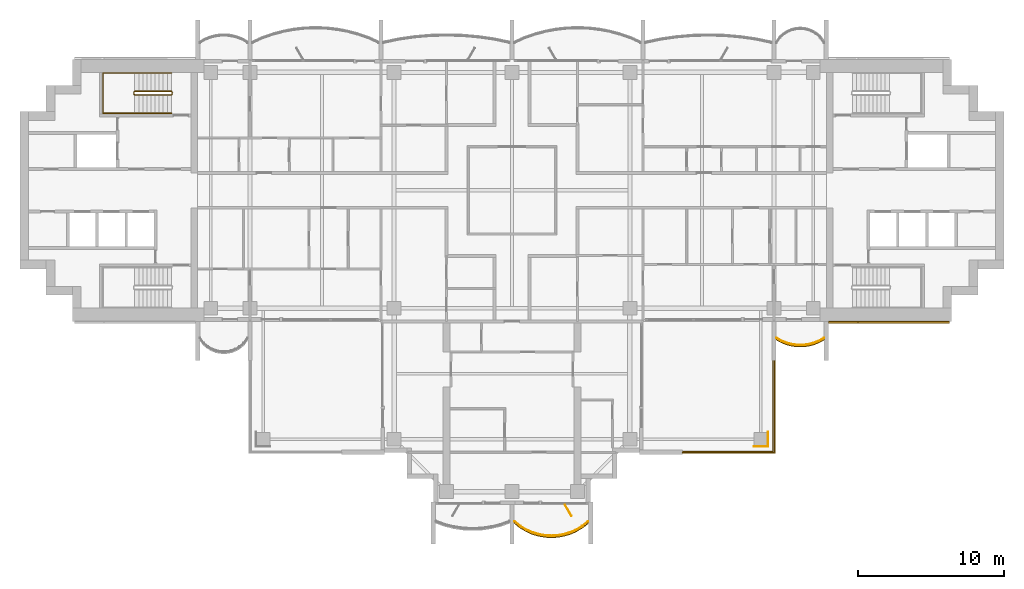
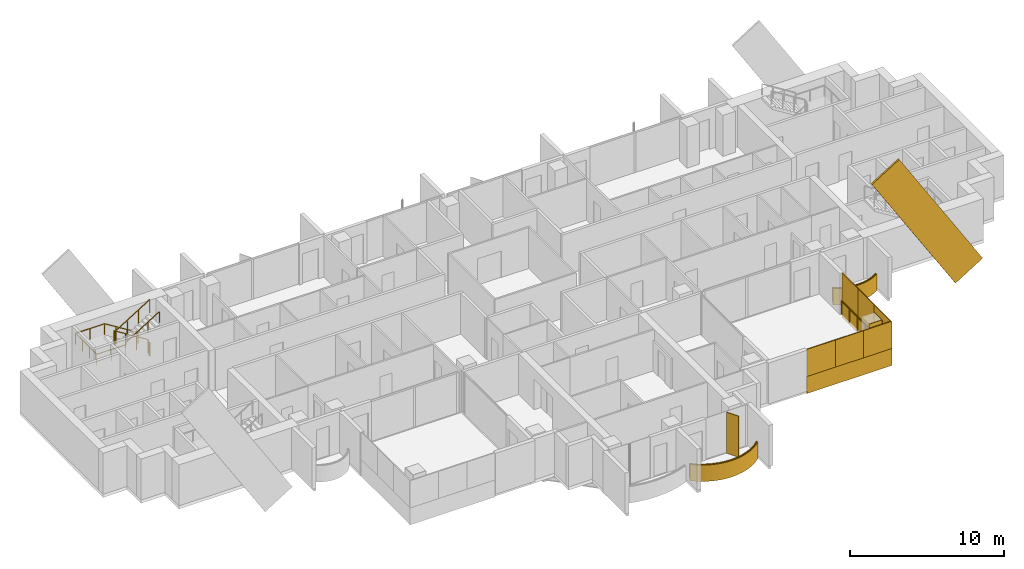
# One storey, part 15 of 17: 12 coverings, 5 railings, 1 shading device.
"""IFC4 building model written with IfcOpenShell, lengths in metres."""

from ifc_helpers import new_model, si_unit, direction, frame, origin, origin_2d, place, context, subcontext, project, spatial, polyline, rectangle, outline, extrude, material, layer, layer_set, material_profile, profile_set, type_object, element, save


model = new_model("IFC4")

# Units and contexts
model_context = context("Model", 3, precision=1e-05, world=origin(), true_north=direction((0.0, 1.0)))
body_context = subcontext(model_context, "Body", "Model", "MODEL_VIEW")
ifc_project = project(units=[si_unit("LENGTHUNIT", "METRE"), si_unit("AREAUNIT", "SQUARE_METRE"), si_unit("VOLUMEUNIT", "CUBIC_METRE"), si_unit("PLANEANGLEUNIT", "RADIAN"), si_unit("MASSUNIT", "GRAM", prefix="KILO")], contexts=[model_context])

# Site, building, storey
site_placement = place(None, origin())
site = spatial("IfcSite", under=ifc_project, at=site_placement, CompositionType="ELEMENT")
building_placement = place(site_placement, origin())
building = spatial("IfcBuilding", under=site, at=building_placement, Name="Perihelion Cross Residences", CompositionType="ELEMENT")
storey_placement = place(building_placement, frame((0.0, 0.0, 208.60009765625)))
storey = spatial("IfcBuildingStorey", under=building, at=storey_placement, Name="L52", CompositionType="ELEMENT", Elevation=208.60009765625)

# Coverings
ifc_material_1 = material(Name="Bronze anodised aluminium", Category="aluminium")
ifc_layer_1 = layer(ifc_material_1, 0.070068359375)
ifc_layer_set_1 = layer_set([ifc_layer_1], Name="Balcony fascia 1300")
covering_type_1 = type_object("IfcCoveringType", Name="Balcony fascia 1300", PredefinedType="CLADDING", material=ifc_layer_set_1)
covering_1_placement = place(storey_placement, frame((0.0, 0.0, -0.2001953125)))
element("IfcCovering", 1, at=covering_1_placement, inside=storey, type_object=covering_type_1, Name="Fascia BF1 L52 south tip south bay 2", PredefinedType="CLADDING", context=body_context, shape_type="SweptSolid", body=[
    extrude(outline(polyline([(0.53515625, -23.197509765625), (0.96826171875, -23.455078125), (1.401123046875, -23.642578125), (1.833984375, -23.7705078125), (2.26708984375, -23.845458984375), (2.699951171875, -23.8701171875), (3.133056640625, -23.845458984375), (3.56591796875, -23.7705078125), (3.998779296875, -23.642578125), (4.431884765625, -23.455078125), (4.86474609375, -23.197509765625), (5.25, -22.8896484375), (5.25, -22.800048828125), (4.824951171875, -23.14013671875), (4.39990234375, -23.392578125), (3.97509765625, -23.57666015625), (3.550048828125, -23.702392578125), (3.125, -23.77587890625), (2.699951171875, -23.800048828125), (2.27490234375, -23.77587890625), (1.85009765625, -23.702392578125), (1.425048828125, -23.57666015625), (1.0, -23.392578125), (0.574951171875, -23.14013671875), (0.14990234375, -22.800048828125), (0.14990234375, -22.8896484375), (0.53515625, -23.197509765625)])), origin(), (0.0, 0.0, 1.0), 1.300048828125),
])
covering_2_placement = place(storey_placement, frame((0.0, 0.0, -0.2001953125)))
element("IfcCovering", 2, at=covering_2_placement, inside=storey, type_object=covering_type_1, Name="Fascia BF1 L52 east side south bay 2", PredefinedType="CLADDING", context=body_context, shape_type="SweptSolid", body=[
    extrude(outline(polyline([(18.486328125, -10.4716796875), (18.861572265625, -10.62158203125), (19.237060546875, -10.717529296875), (19.6123046875, -10.76416015625), (19.987548828125, -10.76416015625), (20.363037109375, -10.717529296875), (20.73828125, -10.62158203125), (21.11376953125, -10.4716796875), (21.449951171875, -10.280517578125), (21.449951171875, -10.199951171875), (21.083251953125, -10.40869140625), (20.716552734375, -10.55517578125), (20.35009765625, -10.648681640625), (19.9833984375, -10.6943359375), (19.61669921875, -10.6943359375), (19.25, -10.648681640625), (18.88330078125, -10.55517578125), (18.5166015625, -10.40869140625), (18.14990234375, -10.199951171875), (18.14990234375, -10.280517578125), (18.486328125, -10.4716796875)])), origin(), (0.0, 0.0, 1.0), 1.300048828125),
])

# Railings
ifc_material_2 = material(Name="Bronze anodised aluminium", Category="aluminium")
railing_type_1 = type_object("IfcRailingType", Name="Balcony guard 1100", PredefinedType="GUARDRAIL", material=ifc_material_2)
railing_1_placement = place(storey_placement, frame((0.175048828125, -22.739990234375, 0.0)))
element("IfcRailing", 3, at=railing_1_placement, inside=storey, type_object=railing_type_1, Name="Guard GU1 L52 south tip south bay 2 balcony", PredefinedType="GUARDRAIL", context=body_context, shape_type="SweptSolid", body=[
    extrude(rectangle(XDim=0.048095703125, YDim=0.048095703125, at=origin_2d()), frame((0.0, 0.0, 1.076171875), z_axis=(0.761778647315, -0.647837396648, 0.0), x_axis=(0.647837396648, 0.761778647315, 0.0)), (0.0, 0.0, 1.0), 0.52490234375),
    extrude(rectangle(XDim=0.048095703125, YDim=0.048095703125, at=origin_2d()), frame((0.39990234375, -0.340087890625, 1.076171875), z_axis=(0.859576918062, -0.511006381501, 0.0), x_axis=(0.511006381501, 0.859576918062, 0.0)), (0.0, 0.0, 1.0), 0.494384765625),
    extrude(rectangle(XDim=0.048095703125, YDim=0.048095703125, at=origin_2d()), frame((0.824951171875, -0.5927734375, 1.076171875), z_axis=(0.917831080218, -0.396971167952, 0.0), x_axis=(0.396971167952, 0.917831080218, 0.0)), (0.0, 0.0, 1.0), 0.463134765625),
    extrude(rectangle(XDim=0.048095703125, YDim=0.048095703125, at=origin_2d()), frame((1.25, -0.776611328125, 1.076171875), z_axis=(0.958925815697, -0.283656975924, 0.0), x_axis=(0.283656975924, 0.958925815697, 0.0)), (0.0, 0.0, 1.0), 0.443359375),
    extrude(rectangle(XDim=0.048095703125, YDim=0.048095703125, at=origin_2d()), frame((1.675048828125, -0.90234375, 1.076171875), z_axis=(0.985365142702, -0.170456843651, 0.0), x_axis=(0.170456843651, 0.985365142702, 0.0)), (0.0, 0.0, 1.0), 0.43115234375),
    extrude(rectangle(XDim=0.048095703125, YDim=0.048095703125, at=origin_2d()), frame((2.099853515625, -0.975830078125, 1.076171875), z_axis=(0.998387160354, -0.056772159032, 0.0), x_axis=(0.056772159032, 0.998387160354, 0.0)), (0.0, 0.0, 1.0), 0.42578125),
    extrude(rectangle(XDim=0.048095703125, YDim=0.048095703125, at=origin_2d()), frame((2.52490234375, -1.0, 1.076171875), z_axis=(0.998387160354, 0.056772159032, 0.0), x_axis=(-0.056772159032, 0.998387160354, 0.0)), (0.0, 0.0, 1.0), 0.42578125),
    extrude(rectangle(XDim=0.048095703125, YDim=0.048095703125, at=origin_2d()), frame((2.949951171875, -0.975830078125, 1.076171875), z_axis=(0.985381583142, 0.17036177859, 0.0), x_axis=(-0.17036177859, 0.985381583142, 0.0)), (0.0, 0.0, 1.0), 0.431396484375),
    extrude(rectangle(XDim=0.048095703125, YDim=0.048095703125, at=origin_2d()), frame((3.375, -0.90234375, 1.076171875), z_axis=(0.958925815697, 0.283656975924, 0.0), x_axis=(-0.283656975924, 0.958925815697, 0.0)), (0.0, 0.0, 1.0), 0.443359375),
    extrude(rectangle(XDim=0.048095703125, YDim=0.048095703125, at=origin_2d()), frame((3.800048828125, -0.776611328125, 1.076171875), z_axis=(0.917747942671, 0.397163333811, 0.0), x_axis=(-0.397163333811, 0.917747942671, 0.0)), (0.0, 0.0, 1.0), 0.462890625),
    extrude(rectangle(XDim=0.048095703125, YDim=0.048095703125, at=origin_2d()), frame((4.224853515625, -0.5927734375, 1.076171875), z_axis=(0.859576918062, 0.511006381501, 0.0), x_axis=(-0.511006381501, 0.859576918062, 0.0)), (0.0, 0.0, 1.0), 0.494384765625),
    extrude(rectangle(XDim=0.048095703125, YDim=0.048095703125, at=origin_2d()), frame((4.64990234375, -0.340087890625, 1.076171875), z_axis=(0.761973728849, 0.647607934281, 0.0), x_axis=(-0.647607934281, 0.761973728849, 0.0)), (0.0, 0.0, 1.0), 0.525146484375),
    extrude(rectangle(XDim=0.0419921875, YDim=0.0419921875, at=origin_2d()), origin(), (0.0, 0.0, 1.0), 1.052001953125),
    extrude(rectangle(XDim=0.0419921875, YDim=0.0419921875, at=origin_2d()), frame((0.39990234375, -0.340087890625, 0.0)), (0.0, 0.0, 1.0), 1.052001953125),
    extrude(rectangle(XDim=0.0419921875, YDim=0.0419921875, at=origin_2d()), frame((0.824951171875, -0.5927734375, 0.0)), (0.0, 0.0, 1.0), 1.052001953125),
    extrude(rectangle(XDim=0.0419921875, YDim=0.0419921875, at=origin_2d()), frame((1.25, -0.776611328125, 0.0)), (0.0, 0.0, 1.0), 1.052001953125),
    extrude(rectangle(XDim=0.0419921875, YDim=0.0419921875, at=origin_2d()), frame((1.675048828125, -0.90234375, 0.0)), (0.0, 0.0, 1.0), 1.052001953125),
    extrude(rectangle(XDim=0.0419921875, YDim=0.0419921875, at=origin_2d()), frame((2.099853515625, -0.975830078125, 0.0)), (0.0, 0.0, 1.0), 1.052001953125),
    extrude(rectangle(XDim=0.0419921875, YDim=0.0419921875, at=origin_2d()), frame((2.52490234375, -1.0, 0.0)), (0.0, 0.0, 1.0), 1.052001953125),
    extrude(rectangle(XDim=0.0419921875, YDim=0.0419921875, at=origin_2d()), frame((2.949951171875, -0.975830078125, 0.0)), (0.0, 0.0, 1.0), 1.052001953125),
    extrude(rectangle(XDim=0.0419921875, YDim=0.0419921875, at=origin_2d()), frame((3.375, -0.90234375, 0.0)), (0.0, 0.0, 1.0), 1.052001953125),
    extrude(rectangle(XDim=0.0419921875, YDim=0.0419921875, at=origin_2d()), frame((3.800048828125, -0.776611328125, 0.0)), (0.0, 0.0, 1.0), 1.052001953125),
    extrude(rectangle(XDim=0.0419921875, YDim=0.0419921875, at=origin_2d()), frame((4.224853515625, -0.5927734375, 0.0)), (0.0, 0.0, 1.0), 1.052001953125),
    extrude(rectangle(XDim=0.0419921875, YDim=0.0419921875, at=origin_2d()), frame((4.64990234375, -0.340087890625, 0.0)), (0.0, 0.0, 1.0), 1.052001953125),
    extrude(rectangle(XDim=0.0419921875, YDim=0.0419921875, at=origin_2d()), frame((5.050048828125, 0.0, 0.0)), (0.0, 0.0, 1.0), 1.052001953125),
])
railing_2_placement = place(storey_placement, frame((18.175048828125, -10.139892578125, 0.0)))
element("IfcRailing", 4, at=railing_2_placement, inside=storey, type_object=railing_type_1, Name="Guard GU1 L52 east side south bay 2 balcony", PredefinedType="GUARDRAIL", context=body_context, shape_type="SweptSolid", body=[
    extrude(rectangle(XDim=0.048095703125, YDim=0.048095703125, at=origin_2d()), frame((0.0, 0.0, 1.076171875), z_axis=(0.853266756821, -0.52147467983, 0.0), x_axis=(0.52147467983, 0.853266756821, 0.0)), (0.0, 0.0, 1.0), 0.400390625),
    extrude(rectangle(XDim=0.048095703125, YDim=0.048095703125, at=origin_2d()), frame((0.341552734375, -0.208740234375, 1.076171875), z_axis=(0.928647151248, -0.37096424151, 0.0), x_axis=(0.37096424151, 0.928647151248, 0.0)), (0.0, 0.0, 1.0), 0.394775390625),
    extrude(rectangle(XDim=0.048095703125, YDim=0.048095703125, at=origin_2d()), frame((0.708251953125, -0.355224609375, 1.076171875), z_axis=(0.968993337782, -0.247086849781, 0.0), x_axis=(0.247086849781, 0.968993337782, 0.0)), (0.0, 0.0, 1.0), 0.37841796875),
    extrude(rectangle(XDim=0.048095703125, YDim=0.048095703125, at=origin_2d()), frame((1.074951171875, -0.44873046875, 1.076171875), z_axis=(0.992338742457, -0.123546834114, 0.0), x_axis=(0.123546834114, 0.992338742457, 0.0)), (0.0, 0.0, 1.0), 0.36962890625),
    extrude(rectangle(XDim=0.048095703125, YDim=0.048095703125, at=origin_2d()), frame((1.441650390625, -0.494384765625, 1.076171875), z_axis=(1.0, 0.0, 0.0), x_axis=(0.0, 1.0, 0.0)), (0.0, 0.0, 1.0), 0.36669921875),
    extrude(rectangle(XDim=0.048095703125, YDim=0.048095703125, at=origin_2d()), frame((1.808349609375, -0.494384765625, 1.076171875), z_axis=(0.992338742457, 0.123546834114, 0.0), x_axis=(-0.123546834114, 0.992338742457, 0.0)), (0.0, 0.0, 1.0), 0.36962890625),
    extrude(rectangle(XDim=0.048095703125, YDim=0.048095703125, at=origin_2d()), frame((2.175048828125, -0.44873046875, 1.076171875), z_axis=(0.968953914071, 0.247241405123, 0.0), x_axis=(-0.247241405123, 0.968953914071, 0.0)), (0.0, 0.0, 1.0), 0.378173828125),
    extrude(rectangle(XDim=0.048095703125, YDim=0.048095703125, at=origin_2d()), frame((2.54150390625, -0.355224609375, 1.076171875), z_axis=(0.928647151248, 0.37096424151, 0.0), x_axis=(-0.37096424151, 0.928647151248, 0.0)), (0.0, 0.0, 1.0), 0.394775390625),
    extrude(rectangle(XDim=0.048095703125, YDim=0.048095703125, at=origin_2d()), frame((2.908203125, -0.208740234375, 1.076171875), z_axis=(0.853432484338, 0.521203410078, 0.0), x_axis=(-0.521203410078, 0.853432484338, 0.0)), (0.0, 0.0, 1.0), 0.400390625),
    extrude(rectangle(XDim=0.0419921875, YDim=0.0419921875, at=origin_2d()), origin(), (0.0, 0.0, 1.0), 1.052001953125),
    extrude(rectangle(XDim=0.0419921875, YDim=0.0419921875, at=origin_2d()), frame((0.341552734375, -0.208740234375, 0.0)), (0.0, 0.0, 1.0), 1.052001953125),
    extrude(rectangle(XDim=0.0419921875, YDim=0.0419921875, at=origin_2d()), frame((0.708251953125, -0.355224609375, 0.0)), (0.0, 0.0, 1.0), 1.052001953125),
    extrude(rectangle(XDim=0.0419921875, YDim=0.0419921875, at=origin_2d()), frame((1.074951171875, -0.44873046875, 0.0)), (0.0, 0.0, 1.0), 1.052001953125),
    extrude(rectangle(XDim=0.0419921875, YDim=0.0419921875, at=origin_2d()), frame((1.441650390625, -0.494384765625, 0.0)), (0.0, 0.0, 1.0), 1.052001953125),
    extrude(rectangle(XDim=0.0419921875, YDim=0.0419921875, at=origin_2d()), frame((1.808349609375, -0.494384765625, 0.0)), (0.0, 0.0, 1.0), 1.052001953125),
    extrude(rectangle(XDim=0.0419921875, YDim=0.0419921875, at=origin_2d()), frame((2.175048828125, -0.44873046875, 0.0)), (0.0, 0.0, 1.0), 1.052001953125),
    extrude(rectangle(XDim=0.0419921875, YDim=0.0419921875, at=origin_2d()), frame((2.54150390625, -0.355224609375, 0.0)), (0.0, 0.0, 1.0), 1.052001953125),
    extrude(rectangle(XDim=0.0419921875, YDim=0.0419921875, at=origin_2d()), frame((2.908203125, -0.208740234375, 0.0)), (0.0, 0.0, 1.0), 1.052001953125),
    extrude(rectangle(XDim=0.0419921875, YDim=0.0419921875, at=origin_2d()), frame((3.25, 0.0, 0.0)), (0.0, 0.0, 1.0), 1.052001953125),
])
railing_3_placement = place(storey_placement, frame((17.93994140625, -11.739990234375, 0.0)))
element("IfcRailing", 5, at=railing_3_placement, inside=storey, type_object=railing_type_1, Name="Guard GU1 L52 pocket south-east 1", PredefinedType="GUARDRAIL", context=body_context, shape_type="SweptSolid", body=[
    extrude(rectangle(XDim=0.048095703125, YDim=0.048095703125, at=origin_2d()), frame((0.0, 0.0, 1.076171875), z_axis=(0.0, -1.0, 0.0), x_axis=(1.0, 0.0, 0.0)), (0.0, 0.0, 1.0), 6.199951171875),
    extrude(rectangle(XDim=0.048095703125, YDim=0.048095703125, at=origin_2d()), frame((0.0, -6.199951171875, 1.076171875), z_axis=(-1.0, 0.0, 0.0), x_axis=(0.0, -1.0, 0.0)), (0.0, 0.0, 1.0), 6.199951171875),
    extrude(rectangle(XDim=0.0419921875, YDim=0.0419921875, at=origin_2d()), origin(), (0.0, 0.0, 1.0), 1.052001953125),
    extrude(rectangle(XDim=0.0419921875, YDim=0.0419921875, at=origin_2d()), frame((0.0, -1.033203125, 0.0)), (0.0, 0.0, 1.0), 1.052001953125),
    extrude(rectangle(XDim=0.0419921875, YDim=0.0419921875, at=origin_2d()), frame((0.0, -2.066650390625, 0.0)), (0.0, 0.0, 1.0), 1.052001953125),
    extrude(rectangle(XDim=0.0419921875, YDim=0.0419921875, at=origin_2d()), frame((0.0, -3.10009765625, 0.0)), (0.0, 0.0, 1.0), 1.052001953125),
    extrude(rectangle(XDim=0.0419921875, YDim=0.0419921875, at=origin_2d()), frame((0.0, -4.13330078125, 0.0)), (0.0, 0.0, 1.0), 1.052001953125),
    extrude(rectangle(XDim=0.0419921875, YDim=0.0419921875, at=origin_2d()), frame((0.0, -5.16650390625, 0.0)), (0.0, 0.0, 1.0), 1.052001953125),
    extrude(rectangle(XDim=0.0419921875, YDim=0.0419921875, at=origin_2d()), frame((0.0, -6.199951171875, 0.0)), (0.0, 0.0, 1.0), 1.052001953125),
    extrude(rectangle(XDim=0.0419921875, YDim=0.0419921875, at=origin_2d()), frame((-1.033203125, -6.199951171875, 0.0)), (0.0, 0.0, 1.0), 1.052001953125),
    extrude(rectangle(XDim=0.0419921875, YDim=0.0419921875, at=origin_2d()), frame((-2.066650390625, -6.199951171875, 0.0)), (0.0, 0.0, 1.0), 1.052001953125),
    extrude(rectangle(XDim=0.0419921875, YDim=0.0419921875, at=origin_2d()), frame((-3.10009765625, -6.199951171875, 0.0)), (0.0, 0.0, 1.0), 1.052001953125),
    extrude(rectangle(XDim=0.0419921875, YDim=0.0419921875, at=origin_2d()), frame((-4.13330078125, -6.199951171875, 0.0)), (0.0, 0.0, 1.0), 1.052001953125),
    extrude(rectangle(XDim=0.0419921875, YDim=0.0419921875, at=origin_2d()), frame((-5.16650390625, -6.199951171875, 0.0)), (0.0, 0.0, 1.0), 1.052001953125),
    extrude(rectangle(XDim=0.0419921875, YDim=0.0419921875, at=origin_2d()), frame((-6.199951171875, -6.199951171875, 0.0)), (0.0, 0.0, 1.0), 1.052001953125),
])

# Coverings
ifc_material_3 = material(Name="Bronze anodised aluminium", Category="aluminium")
ifc_material_profile = material_profile(ifc_material_3, rectangle(XDim=0.125, YDim=2.39990234375, at=origin_2d()), Name="Bronze cladding band 2400")
ifc_profile_set = profile_set([ifc_material_profile], Name="Bronze anodised aluminium")
covering_type_2 = type_object("IfcCoveringType", Name="Bronze cladding band 2400", PredefinedType="CLADDING", material=ifc_profile_set)
covering_3_placement = place(storey_placement, frame((29.0322265625, -9.0625, -1.996337890625), z_axis=(-0.529915403603, 0.0, 0.848050508534), x_axis=(0.0, -1.0, 0.0)))
element("IfcCovering", 6, at=covering_3_placement, inside=storey, type_object=covering_type_2, Name="Core cladding band, east core", PredefinedType="CLADDING", context=body_context, shape_type="SweptSolid", body=[
    extrude(rectangle(XDim=0.125, YDim=2.39990234375, at=origin_2d()), origin(), (0.0, 0.0, 1.0), 11.822021484375),
])
ifc_material_4 = material(Name="Bronze anodised aluminium", Category="aluminium")
ifc_layer_2 = layer(ifc_material_4, 0.0400390625)
ifc_layer_set_2 = layer_set([ifc_layer_2], Name="Bronze column casing 40")
covering_type_3 = type_object("IfcCoveringType", Name="Bronze column casing 40", PredefinedType="CLADDING", material=ifc_layer_set_2)
covering_4_placement = place(storey_placement, frame((17.594970703125, -17.10009765625, -0.25), z_axis=(0.0, 0.0, 1.0), x_axis=(1.0, 0.0, 0.0)))
element("IfcCovering", 7, at=covering_4_placement, inside=storey, type_object=covering_type_3, Name="Cladding CC1 L52 casing east-west no. 2", PredefinedType="CLADDING", context=body_context, shape_type="SweptSolid", body=[
    extrude(rectangle(XDim=0.0400390625, YDim=1.030029296875, at=origin_2d()), origin(), (0.0, 0.0, 1.0), 3.5),
])
covering_5_placement = place(storey_placement, frame((17.10009765625, -17.594970703125, -0.25), z_axis=(0.0, 0.0, 1.0), x_axis=(1.0, 0.0, 0.0)))
element("IfcCovering", 8, at=covering_5_placement, inside=storey, type_object=covering_type_3, Name="Cladding CC1 L52 casing north-south no. 2", PredefinedType="CLADDING", context=body_context, shape_type="SweptSolid", body=[
    extrude(rectangle(XDim=0.949951171875, YDim=0.0400390625, at=origin_2d()), origin(), (0.0, 0.0, 1.0), 3.5),
])

# Shading device
ifc_material_5 = material(Name="Bronze anodised aluminium", Category="aluminium")
ifc_layer_3 = layer(ifc_material_5, 0.050048828125)
ifc_layer_set_3 = layer_set([ifc_layer_3], Name="Bronze fin 900")
shading_device_type = type_object("IfcShadingDeviceType", Name="Bronze fin 900", PredefinedType="USERDEFINED", material=ifc_layer_set_3)
shading_device_placement = place(storey_placement, frame((3.862548828125, -21.98974609375, 0.0), z_axis=(0.0, 0.0, 1.0), x_axis=(0.5, -0.866025403784, 0.0)))
element("IfcShadingDevice", 9, at=shading_device_placement, inside=storey, type_object=shading_device_type, Name="Fin FN1 L52 south tip south bay 2", ObjectType="FIN", PredefinedType="USERDEFINED", context=body_context, shape_type="SweptSolid", body=[
    extrude(rectangle(XDim=0.89990234375, YDim=0.050048828125, at=origin_2d()), origin(), (0.0, 0.0, 1.0), 3.25),
])

# Coverings
ifc_material_6 = material(Name="Bronze anodised aluminium", Category="aluminium")
ifc_layer_4 = layer(ifc_material_6, 0.070068359375)
ifc_layer_set_4 = layer_set([ifc_layer_4], Name="Pocket fascia 1350")
covering_type_4 = type_object("IfcCoveringType", Name="Pocket fascia 1350", PredefinedType="CLADDING", material=ifc_layer_set_4)
covering_6_placement = place(storey_placement, frame((0.0, 0.0, -0.25)))
element("IfcCovering", 10, at=covering_6_placement, inside=storey, type_object=covering_type_4, Name="Fascia BF2 L52 pocket south-east 3", PredefinedType="CLADDING", context=body_context, shape_type="SweptSolid", body=[
    extrude(outline(polyline([(18.070068359375, -18.070068359375), (18.070068359375, -11.699951171875), (18.0, -11.699951171875), (18.0, -18.0), (11.699951171875, -18.0), (11.699951171875, -18.070068359375), (18.070068359375, -18.070068359375)])), origin(), (0.0, 0.0, 1.0), 1.349853515625),
])
ifc_material_7 = material(Name="Bronze perforated aluminium", Category="aluminium")
ifc_layer_5 = layer(ifc_material_7, 0.070068359375)
ifc_layer_set_5 = layer_set([ifc_layer_5], Name="Pocket solar screen, bronze perforated")
covering_type_5 = type_object("IfcCoveringType", Name="Pocket solar screen, bronze perforated", PredefinedType="CLADDING", material=ifc_layer_set_5)
covering_7_placement = place(storey_placement, frame((0.0, 0.0, 1.099853515625)))
element("IfcCovering", 11, at=covering_7_placement, inside=storey, type_object=covering_type_5, Name="Solar screen PS1 L52 pocket south-east no. 1", PredefinedType="CLADDING", context=body_context, shape_type="SweptSolid", body=[
    extrude(outline(polyline([(18.070068359375, -18.0), (18.070068359375, -15.89990234375), (18.0, -15.89990234375), (18.0, -18.0), (18.070068359375, -18.0)])), origin(), (0.0, 0.0, 1.0), 2.150146484375),
])
covering_8_placement = place(storey_placement, frame((0.0, 0.0, 1.099853515625)))
element("IfcCovering", 12, at=covering_8_placement, inside=storey, type_object=covering_type_5, Name="Solar screen PS1 L52 pocket south-east no. 2", PredefinedType="CLADDING", context=body_context, shape_type="SweptSolid", body=[
    extrude(outline(polyline([(18.070068359375, -15.89990234375), (18.070068359375, -13.800048828125), (18.0, -13.800048828125), (18.0, -15.89990234375), (18.070068359375, -15.89990234375)])), origin(), (0.0, 0.0, 1.0), 2.150146484375),
])
covering_9_placement = place(storey_placement, frame((0.0, 0.0, 1.099853515625)))
element("IfcCovering", 13, at=covering_9_placement, inside=storey, type_object=covering_type_5, Name="Solar screen PS1 L52 pocket south-east no. 3", PredefinedType="CLADDING", context=body_context, shape_type="SweptSolid", body=[
    extrude(outline(polyline([(18.070068359375, -13.800048828125), (18.070068359375, -11.699951171875), (18.0, -11.699951171875), (18.0, -13.800048828125), (18.070068359375, -13.800048828125)])), origin(), (0.0, 0.0, 1.0), 2.150146484375),
])
covering_10_placement = place(storey_placement, frame((0.0, 0.0, 1.099853515625)))
element("IfcCovering", 14, at=covering_10_placement, inside=storey, type_object=covering_type_5, Name="Solar screen PS1 L52 pocket south-east no. 4", PredefinedType="CLADDING", context=body_context, shape_type="SweptSolid", body=[
    extrude(outline(polyline([(13.8232421875, -18.070068359375), (13.8232421875, -18.0), (11.699951171875, -18.0), (11.699951171875, -18.070068359375), (13.8232421875, -18.070068359375)])), origin(), (0.0, 0.0, 1.0), 2.150146484375),
])
covering_11_placement = place(storey_placement, frame((0.0, 0.0, 1.099853515625)))
element("IfcCovering", 15, at=covering_11_placement, inside=storey, type_object=covering_type_5, Name="Solar screen PS1 L52 pocket south-east no. 5", PredefinedType="CLADDING", context=body_context, shape_type="SweptSolid", body=[
    extrude(outline(polyline([(15.94677734375, -18.070068359375), (15.94677734375, -18.0), (13.8232421875, -18.0), (13.8232421875, -18.070068359375), (15.94677734375, -18.070068359375)])), origin(), (0.0, 0.0, 1.0), 2.150146484375),
])
covering_12_placement = place(storey_placement, frame((0.0, 0.0, 1.099853515625)))
element("IfcCovering", 16, at=covering_12_placement, inside=storey, type_object=covering_type_5, Name="Solar screen PS1 L52 pocket south-east no. 6", PredefinedType="CLADDING", context=body_context, shape_type="SweptSolid", body=[
    extrude(outline(polyline([(18.070068359375, -18.070068359375), (18.070068359375, -18.0), (15.94677734375, -18.0), (15.94677734375, -18.070068359375), (18.070068359375, -18.070068359375)])), origin(), (0.0, 0.0, 1.0), 2.150146484375),
])

# Railings
ifc_material_8 = material(Name="Stainless steel", Category="steel")
railing_type_2 = type_object("IfcRailingType", Name="Stair guard 1100", PredefinedType="GUARDRAIL", material=ifc_material_8)
railing_4_placement = place(storey_placement, frame((-23.35009765625, 6.60009765625, 0.0)))
element("IfcRailing", 17, at=railing_4_placement, inside=storey, type_object=railing_type_2, Name="L52 ST-W1 stair guard 1", PredefinedType="GUARDRAIL", context=body_context, shape_type="SweptSolid", body=[
    extrude(rectangle(XDim=0.048095703125, YDim=0.048095703125, at=origin_2d()), frame((0.0, 0.0, 1.076171875), z_axis=(0.0, 1.0, 0.0), x_axis=(-1.0, 0.0, 0.0)), (0.0, 0.0, 1.0), 0.14990234375),
    extrude(rectangle(XDim=0.048095703125, YDim=0.048095703125, at=origin_2d()), frame((0.0, 0.14990234375, 1.076171875), z_axis=(-0.264179342666, 0.265474339444, 0.927217692888), x_axis=(-0.708833529934, -0.705375805398, 0.0)), (0.0, 0.0, 1.0), 0.1884765625),
    extrude(rectangle(XDim=0.048095703125, YDim=0.048095703125, at=origin_2d()), frame((-0.0498046875, 0.199951171875, 1.2509765625), z_axis=(-0.847970611238, 0.0, 0.530043245855), x_axis=(0.0, -1.0, 0.0)), (0.0, 0.0, 1.0), 2.971923828125),
    extrude(rectangle(XDim=0.048095703125, YDim=0.048095703125, at=origin_2d()), frame((-2.56982421875, 0.199951171875, 2.826171875), z_axis=(-0.707106781187, -0.707106781187, 0.0), x_axis=(0.707106781187, -0.707106781187, 0.0)), (0.0, 0.0, 1.0), 0.07080078125),
    extrude(rectangle(XDim=0.048095703125, YDim=0.048095703125, at=origin_2d()), frame((-2.619873046875, 0.14990234375, 2.826171875), z_axis=(0.0, -1.0, 0.0), x_axis=(1.0, 0.0, 0.0)), (0.0, 0.0, 1.0), 0.14990234375),
    extrude(rectangle(XDim=0.048095703125, YDim=0.048095703125, at=origin_2d()), frame((-2.619873046875, 0.0, 2.826171875), z_axis=(0.265383341853, -0.265383341853, 0.926899867156), x_axis=(0.707106781187, 0.707106781187, 0.0)), (0.0, 0.0, 1.0), 0.1884765625),
    extrude(rectangle(XDim=0.048095703125, YDim=0.048095703125, at=origin_2d()), frame((-2.56982421875, -0.050048828125, 3.0009765625), z_axis=(0.847970611238, 0.0, 0.530043245855), x_axis=(0.0, 1.0, 0.0)), (0.0, 0.0, 1.0), 2.971923828125),
    extrude(rectangle(XDim=0.0419921875, YDim=0.0419921875, at=origin_2d()), origin(), (0.0, 0.0, 1.0), 1.052001953125),
    extrude(rectangle(XDim=0.0419921875, YDim=0.0419921875, at=origin_2d()), frame((0.0, 0.14990234375, 0.0)), (0.0, 0.0, 1.0), 1.052001953125),
    extrude(rectangle(XDim=0.0419921875, YDim=0.0419921875, at=origin_2d()), frame((-0.0498046875, 0.199951171875, 0.1748046875)), (0.0, 0.0, 1.0), 1.052001953125),
    extrude(rectangle(XDim=0.0419921875, YDim=0.0419921875, at=origin_2d()), frame((-0.889892578125, 0.199951171875, 0.699951171875)), (0.0, 0.0, 1.0), 1.052001953125),
    extrude(rectangle(XDim=0.0419921875, YDim=0.0419921875, at=origin_2d()), frame((-1.729736328125, 0.199951171875, 1.224853515625)), (0.0, 0.0, 1.0), 1.052001953125),
    extrude(rectangle(XDim=0.0419921875, YDim=0.0419921875, at=origin_2d()), frame((-2.56982421875, 0.199951171875, 1.75)), (0.0, 0.0, 1.0), 1.052001953125),
    extrude(rectangle(XDim=0.0419921875, YDim=0.0419921875, at=origin_2d()), frame((-2.619873046875, 0.14990234375, 1.75)), (0.0, 0.0, 1.0), 1.052001953125),
    extrude(rectangle(XDim=0.0419921875, YDim=0.0419921875, at=origin_2d()), frame((-2.619873046875, 0.0, 1.75)), (0.0, 0.0, 1.0), 1.052001953125),
    extrude(rectangle(XDim=0.0419921875, YDim=0.0419921875, at=origin_2d()), frame((-2.56982421875, -0.050048828125, 1.9248046875)), (0.0, 0.0, 1.0), 1.052001953125),
    extrude(rectangle(XDim=0.0419921875, YDim=0.0419921875, at=origin_2d()), frame((-1.729736328125, -0.050048828125, 2.449951171875)), (0.0, 0.0, 1.0), 1.052001953125),
    extrude(rectangle(XDim=0.0419921875, YDim=0.0419921875, at=origin_2d()), frame((-0.889892578125, -0.050048828125, 2.974853515625)), (0.0, 0.0, 1.0), 1.052001953125),
    extrude(rectangle(XDim=0.0419921875, YDim=0.0419921875, at=origin_2d()), frame((-0.0498046875, -0.050048828125, 3.5)), (0.0, 0.0, 1.0), 1.052001953125),
])
ifc_material_9 = material(Name="Stainless steel", Category="steel")
railing_type_3 = type_object("IfcRailingType", Name="Stair handrail 900", PredefinedType="HANDRAIL", material=ifc_material_9)
railing_5_placement = place(storey_placement, frame((-23.39990234375, 8.050048828125, 0.1748046875)))
element("IfcRailing", 18, at=railing_5_placement, inside=storey, type_object=railing_type_3, Name="L52 ST-W1 stair handrail 1", PredefinedType="HANDRAIL", context=body_context, shape_type="SweptSolid", body=[
    extrude(rectangle(XDim=0.048095703125, YDim=0.048095703125, at=origin_2d()), frame((0.0, 0.0, 0.8759765625), z_axis=(-0.847970611238, 0.0, 0.530043245855), x_axis=(0.0, -1.0, 0.0)), (0.0, 0.0, 1.0), 2.971923828125),
    extrude(rectangle(XDim=0.048095703125, YDim=0.048095703125, at=origin_2d()), frame((-2.52001953125, 0.0, 2.451171875), z_axis=(-1.0, 0.0, 0.0), x_axis=(0.0, -1.0, 0.0)), (0.0, 0.0, 1.0), 2.18017578125),
    extrude(rectangle(XDim=0.048095703125, YDim=0.048095703125, at=origin_2d()), frame((-4.7001953125, 0.0, 2.451171875), z_axis=(0.0, -1.0, 0.0), x_axis=(1.0, 0.0, 0.0)), (0.0, 0.0, 1.0), 2.75),
    extrude(rectangle(XDim=0.048095703125, YDim=0.048095703125, at=origin_2d()), frame((-4.7001953125, -2.75, 2.451171875), z_axis=(1.0, 0.0, 0.0), x_axis=(0.0, 1.0, 0.0)), (0.0, 0.0, 1.0), 2.18017578125),
    extrude(rectangle(XDim=0.048095703125, YDim=0.048095703125, at=origin_2d()), frame((-2.52001953125, -2.75, 2.451171875), z_axis=(0.0, 0.0, 1.0), x_axis=(1.0, 0.0, 0.0)), (0.0, 0.0, 1.0), 0.1748046875),
    extrude(rectangle(XDim=0.048095703125, YDim=0.048095703125, at=origin_2d()), frame((-2.52001953125, -2.75, 2.6259765625), z_axis=(0.847970611238, 0.0, 0.530043245855), x_axis=(0.0, 1.0, 0.0)), (0.0, 0.0, 1.0), 2.971923828125),
    extrude(rectangle(XDim=0.0419921875, YDim=0.0419921875, at=origin_2d()), origin(), (0.0, 0.0, 1.0), 0.851806640625),
    extrude(rectangle(XDim=0.0419921875, YDim=0.0419921875, at=origin_2d()), frame((-0.840087890625, 0.0, 0.525146484375)), (0.0, 0.0, 1.0), 0.851806640625),
    extrude(rectangle(XDim=0.0419921875, YDim=0.0419921875, at=origin_2d()), frame((-1.679931640625, 0.0, 1.050048828125)), (0.0, 0.0, 1.0), 0.851806640625),
    extrude(rectangle(XDim=0.0419921875, YDim=0.0419921875, at=origin_2d()), frame((-2.52001953125, 0.0, 1.5751953125)), (0.0, 0.0, 1.0), 0.851806640625),
    extrude(rectangle(XDim=0.0419921875, YDim=0.0419921875, at=origin_2d()), frame((-3.610107421875, 0.0, 1.5751953125)), (0.0, 0.0, 1.0), 0.851806640625),
    extrude(rectangle(XDim=0.0419921875, YDim=0.0419921875, at=origin_2d()), frame((-4.7001953125, 0.0, 1.5751953125)), (0.0, 0.0, 1.0), 0.851806640625),
    extrude(rectangle(XDim=0.0419921875, YDim=0.0419921875, at=origin_2d()), frame((-4.7001953125, -0.916748046875, 1.5751953125)), (0.0, 0.0, 1.0), 0.851806640625),
    extrude(rectangle(XDim=0.0419921875, YDim=0.0419921875, at=origin_2d()), frame((-4.7001953125, -1.833251953125, 1.5751953125)), (0.0, 0.0, 1.0), 0.851806640625),
    extrude(rectangle(XDim=0.0419921875, YDim=0.0419921875, at=origin_2d()), frame((-4.7001953125, -2.75, 1.5751953125)), (0.0, 0.0, 1.0), 0.851806640625),
    extrude(rectangle(XDim=0.0419921875, YDim=0.0419921875, at=origin_2d()), frame((-3.610107421875, -2.75, 1.5751953125)), (0.0, 0.0, 1.0), 0.851806640625),
    extrude(rectangle(XDim=0.0419921875, YDim=0.0419921875, at=origin_2d()), frame((-2.52001953125, -2.75, 1.5751953125)), (0.0, 0.0, 1.0), 0.851806640625),
    extrude(rectangle(XDim=0.0419921875, YDim=0.0419921875, at=origin_2d()), frame((-2.52001953125, -2.75, 1.75)), (0.0, 0.0, 1.0), 0.851806640625),
    extrude(rectangle(XDim=0.0419921875, YDim=0.0419921875, at=origin_2d()), frame((-1.679931640625, -2.75, 2.275146484375)), (0.0, 0.0, 1.0), 0.851806640625),
    extrude(rectangle(XDim=0.0419921875, YDim=0.0419921875, at=origin_2d()), frame((-0.840087890625, -2.75, 2.800048828125)), (0.0, 0.0, 1.0), 0.851806640625),
    extrude(rectangle(XDim=0.0419921875, YDim=0.0419921875, at=origin_2d()), frame((0.0, -2.75, 3.3251953125)), (0.0, 0.0, 1.0), 0.851806640625),
])

save(model, "model.ifc")
